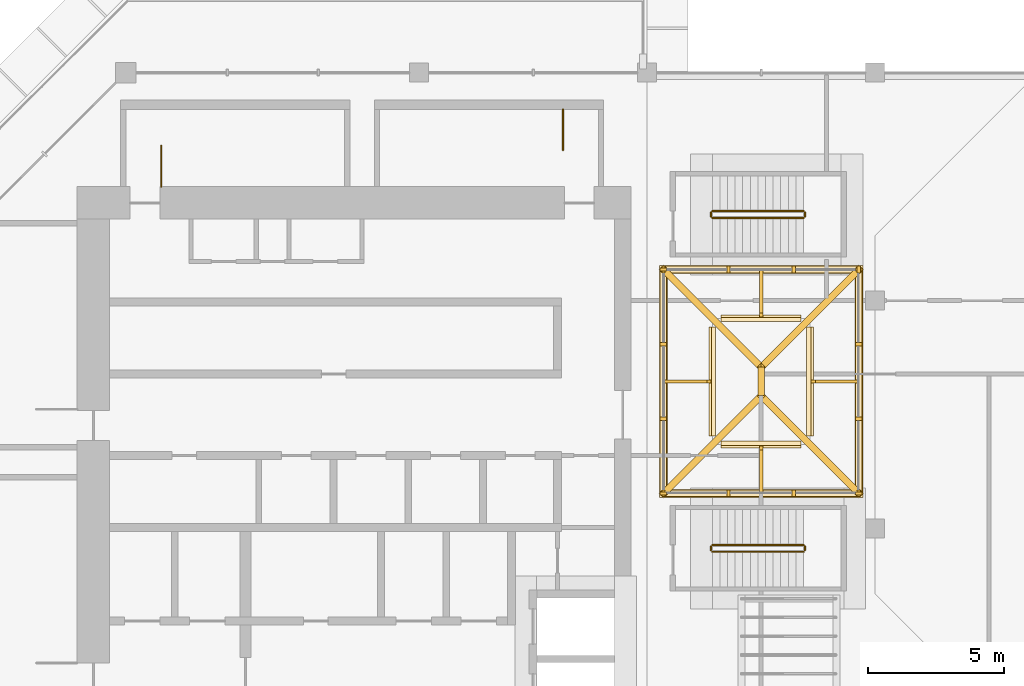
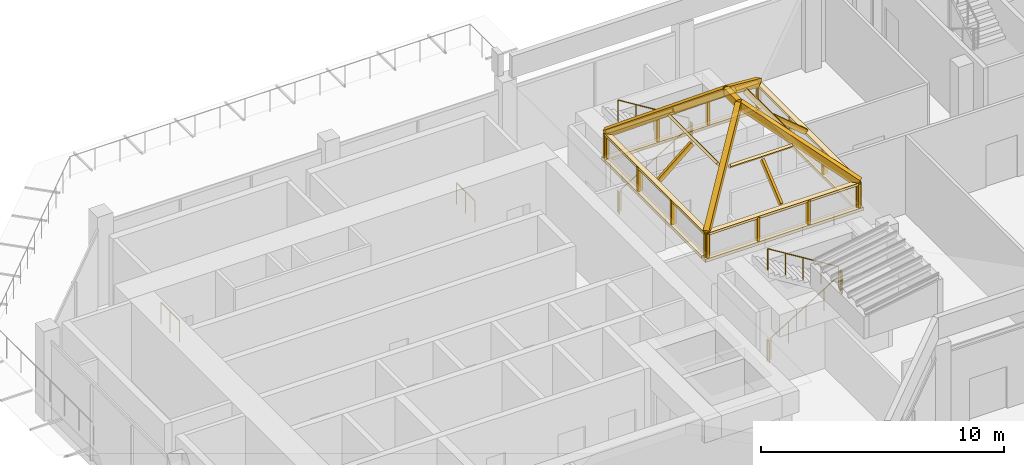
# One storey, part 14 of 15: 37 coverings, 10 railings.
"""IFC4 building model written with IfcOpenShell, lengths in metres."""

from ifc_helpers import new_model, si_unit, direction, frame, origin, origin_2d, place, context, subcontext, project, spatial, polyline, rectangle, circle, outline, extrude, material, layer, layer_set, type_object, element, save


model = new_model("IFC4")

# Units and contexts
model_context = context("Model", 3, precision=1e-05, world=origin(), true_north=direction((0.0, 1.0)))
body_context = subcontext(model_context, "Body", "Model", "MODEL_VIEW")
ifc_project = project(units=[si_unit("LENGTHUNIT", "METRE"), si_unit("AREAUNIT", "SQUARE_METRE"), si_unit("VOLUMEUNIT", "CUBIC_METRE"), si_unit("PLANEANGLEUNIT", "RADIAN"), si_unit("MASSUNIT", "GRAM", prefix="KILO")], contexts=[model_context])

# Site, building, storey
site_placement = place(None, origin())
site = spatial("IfcSite", under=ifc_project, at=site_placement, CompositionType="ELEMENT")
building_placement = place(site_placement, origin())
building = spatial("IfcBuilding", under=site, at=building_placement, Name="Kawkab Arch Medical Tower", CompositionType="ELEMENT")
storey_placement = place(building_placement, frame((0.0, 0.0, 332.199951171875)))
storey = spatial("IfcBuildingStorey", under=building, at=storey_placement, Name="L77", CompositionType="ELEMENT", Elevation=332.199951171875)

# Coverings
ifc_material_1 = material(Name="Bronze painted steel hip rib", Category="steel")
ifc_layer_1 = layer(ifc_material_1, 0.3701171875)
ifc_layer_set_1 = layer_set([ifc_layer_1], Name="Bronze painted steel hip rib")
covering_type_1 = type_object("IfcCoveringType", Name="Crown hip rib 250 x 370", PredefinedType="CLADDING", material=ifc_layer_set_1)
covering_1_placement = place(storey_placement, frame((25.80908203125, -15.668701171875, 6.039306640625), z_axis=(-0.360699112637, -0.360948214235, 0.860007288797), x_axis=(0.608116994285, 0.608116996138, 0.510281726372)))
element("IfcCovering", 1, at=covering_1_placement, inside=storey, type_object=covering_type_1, Name="Pavilion hip rib 1", PredefinedType="CLADDING", context=body_context, shape_type="SweptSolid", body=[
    extrude(outline(polyline([(0.0, 0.0), (5.919698727831101, -9.706319949176478e-16), (5.9196987281586, 0.24997329181508912), (-0.0001484657355583785, 0.2501459408207073), (0.0, 0.0)])), origin(), (0.0, 0.0, -1.0), 0.3701171875),
])
covering_2_placement = place(storey_placement, frame((33.167724609375, -15.491943359375, 6.039306640625), z_axis=(0.360828192191, -0.360828192191, 0.860003506644), x_axis=(-0.608114311392, 0.608114311392, 0.510288123083)))
element("IfcCovering", 2, at=covering_2_placement, inside=storey, type_object=covering_type_1, Name="Pavilion hip rib 2", PredefinedType="CLADDING", context=body_context, shape_type="SweptSolid", body=[
    extrude(outline(polyline([(0.0, 0.0), (5.9196987279948505, 0.0), (5.91969872799485, 0.2499732956929006), (0.0, 0.24997329569290055), (0.0, 0.0)])), origin(), (0.0, 0.0, -1.0), 0.3701171875),
])
covering_3_placement = place(storey_placement, frame((32.990966796875, -7.083251953125, 6.039306640625), z_axis=(0.360948214235, 0.360699112637, 0.860007288797), x_axis=(-0.608116996138, -0.608116994285, 0.510281726372)))
element("IfcCovering", 3, at=covering_3_placement, inside=storey, type_object=covering_type_1, Name="Pavilion hip rib 3", PredefinedType="CLADDING", context=body_context, shape_type="SweptSolid", body=[
    extrude(outline(polyline([(0.0, 0.0), (5.919698727831101, 9.706319949176478e-16), (5.919847193566659, 0.2501459408207079), (-3.274995274971104e-10, 0.24997329181508948), (0.0, 0.0)])), origin(), (0.0, 0.0, -1.0), 0.3701171875),
])
covering_4_placement = place(storey_placement, frame((25.632080078125, -7.260009765625, 6.039306640625), z_axis=(-0.360819142846, 0.360819142846, 0.86001110011), x_axis=(0.608119680783, -0.608119680783, 0.510275325376)))
element("IfcCovering", 4, at=covering_4_placement, inside=storey, type_object=covering_type_1, Name="Pavilion hip rib 4", PredefinedType="CLADDING", context=body_context, shape_type="SweptSolid", body=[
    extrude(outline(polyline([(0.0, 0.0), (5.919995660777298, 0.0), (5.919847194058356, 0.25014592918440126), (0.0001484667189412675, 0.25014592918440126), (0.0, 0.0)])), origin(), (0.0, 0.0, -1.0), 0.3701171875),
])
covering_5_placement = place(storey_placement, frame((29.52490234375, -11.90087890625, 9.0908203125), z_axis=(0.0, 0.0, 1.0), x_axis=(0.0, 1.0, 0.0)))
element("IfcCovering", 5, at=covering_5_placement, inside=storey, type_object=covering_type_1, Name="Pavilion ridge rib", PredefinedType="CLADDING", context=body_context, shape_type="SweptSolid", body=[
    extrude(outline(polyline([(0.0, 0.0), (1.0498046875, 0.0), (1.0498046875, 0.25), (0.0, 0.25), (0.0, 0.0)])), origin(), (0.0, 0.0, -1.0), 0.3701171875),
])
ifc_material_2 = material(Name="Bronze anodised aluminium joint bar", Category="aluminium")
ifc_layer_2 = layer(ifc_material_2, 0.239990234375)
ifc_layer_set_2 = layer_set([ifc_layer_2], Name="Bronze anodised aluminium joint bar")
covering_type_2 = type_object("IfcCoveringType", Name="Crown joint bar 120 x 240", PredefinedType="CLADDING", material=ifc_layer_set_2)
for number, where, z_axis, x_axis, name in (
    (6, (25.860107421875, -15.62109375, 4.650146484375), (0.0, -1.0, 0.0), (0.0, 0.0, 1.0), "Pavilion skirt bar S 1"),
    (7, (28.260009765625, -15.62109375, 4.650146484375), (0.0, -1.0, 0.0), (0.0, 0.0, 1.0), "Pavilion skirt bar S 2"),
):
    element("IfcCovering", number, at=place(storey_placement, frame(where, z_axis=z_axis, x_axis=x_axis)), inside=storey, type_object=covering_type_2, Name=name, PredefinedType="CLADDING", context=body_context, shape_type="SweptSolid", body=[
        extrude(outline(polyline([(0.0, 0.0), (1.199951171875, 0.0), (1.199951171875, 0.1201171875), (0.0, 0.1201171875), (0.0, 0.0)])), origin(), (0.0, 0.0, -1.0), 0.239990234375),
    ])
covering_6_placement = place(storey_placement, frame((30.659912109375, -15.62109375, 4.650146484375), z_axis=(0.0, -1.0, 0.0), x_axis=(0.0, 0.0, 1.0)))
element("IfcCovering", 8, at=covering_6_placement, inside=storey, type_object=covering_type_2, Name="Pavilion skirt bar S 3", PredefinedType="CLADDING", context=body_context, shape_type="SweptSolid", body=[
    extrude(outline(polyline([(0.0, 0.0), (1.199951171875, 0.0), (1.199951171875, 0.119873046875), (0.0, 0.119873046875), (0.0, 0.0)])), origin(), (0.0, 0.0, -1.0), 0.239990234375),
])
covering_7_placement = place(storey_placement, frame((33.06005859375, -15.62109375, 4.650146484375), z_axis=(0.0, -1.0, 0.0), x_axis=(0.0, 0.0, 1.0)))
element("IfcCovering", 9, at=covering_7_placement, inside=storey, type_object=covering_type_2, Name="Pavilion skirt bar S 4", PredefinedType="CLADDING", context=body_context, shape_type="SweptSolid", body=[
    extrude(outline(polyline([(0.0, 0.0), (1.199951171875, 0.0), (1.199951171875, 0.1201171875), (0.0, 0.1201171875), (0.0, 0.0)])), origin(), (0.0, 0.0, -1.0), 0.239990234375),
])
covering_8_placement = place(storey_placement, frame((25.800048828125, -15.62109375, 5.7900390625), z_axis=(0.0, -1.0, 0.0), x_axis=(1.0, 0.0, 0.0)))
element("IfcCovering", 10, at=covering_8_placement, inside=storey, type_object=covering_type_2, Name="Pavilion eaves bar S", PredefinedType="CLADDING", context=body_context, shape_type="SweptSolid", body=[
    extrude(outline(polyline([(0.0, 0.0), (7.199951171875, 0.0), (7.199951171875, 0.1201171875), (0.0, 0.1201171875), (0.0, 0.0)])), origin(), (0.0, 0.0, -1.0), 0.239990234375),
])
for number, where, z_axis, x_axis, name in (
    (11, (33.1201171875, -15.44091796875, 4.650146484375), (1.0, 0.0, 0.0), (0.0, 0.0, 1.0), "Pavilion skirt bar E 1"),
    (12, (33.1201171875, -12.69091796875, 4.650146484375), (1.0, 0.0, 0.0), (0.0, 0.0, 1.0), "Pavilion skirt bar E 2"),
    (13, (33.1201171875, -9.94091796875, 4.650146484375), (1.0, 0.0, 0.0), (0.0, 0.0, 1.0), "Pavilion skirt bar E 3"),
    (14, (33.1201171875, -7.19091796875, 4.650146484375), (1.0, 0.0, 0.0), (0.0, 0.0, 1.0), "Pavilion skirt bar E 4"),
):
    element("IfcCovering", number, at=place(storey_placement, frame(where, z_axis=z_axis, x_axis=x_axis)), inside=storey, type_object=covering_type_2, Name=name, PredefinedType="CLADDING", context=body_context, shape_type="SweptSolid", body=[
        extrude(outline(polyline([(0.0, 0.0), (1.199951171875, 0.0), (1.199951171875, 0.1201171875), (0.0, 0.1201171875), (0.0, 0.0)])), origin(), (0.0, 0.0, -1.0), 0.239990234375),
    ])
covering_9_placement = place(storey_placement, frame((33.1201171875, -15.5009765625, 5.7900390625), z_axis=(1.0, 0.0, 0.0), x_axis=(0.0, 1.0, 0.0)))
element("IfcCovering", 15, at=covering_9_placement, inside=storey, type_object=covering_type_2, Name="Pavilion eaves bar E", PredefinedType="CLADDING", context=body_context, shape_type="SweptSolid", body=[
    extrude(outline(polyline([(0.0, 0.0), (8.25, 0.0), (8.25, 0.1201171875), (0.0, 0.1201171875), (0.0, 0.0)])), origin(), (0.0, 0.0, -1.0), 0.239990234375),
])
covering_10_placement = place(storey_placement, frame((32.93994140625, -7.131103515625, 4.650146484375), z_axis=(0.0, 1.0, 0.0), x_axis=(0.0, 0.0, 1.0)))
element("IfcCovering", 16, at=covering_10_placement, inside=storey, type_object=covering_type_2, Name="Pavilion skirt bar N 1", PredefinedType="CLADDING", context=body_context, shape_type="SweptSolid", body=[
    extrude(outline(polyline([(0.0, 0.0), (1.199951171875, 0.0), (1.199951171875, 0.1201171875), (0.0, 0.1201171875), (0.0, 0.0)])), origin(), (0.0, 0.0, -1.0), 0.239990234375),
])
covering_11_placement = place(storey_placement, frame((30.5400390625, -7.131103515625, 4.650146484375), z_axis=(0.0, 1.0, 0.0), x_axis=(0.0, 0.0, 1.0)))
element("IfcCovering", 17, at=covering_11_placement, inside=storey, type_object=covering_type_2, Name="Pavilion skirt bar N 2", PredefinedType="CLADDING", context=body_context, shape_type="SweptSolid", body=[
    extrude(outline(polyline([(0.0, 0.0), (1.199951171875, 0.0), (1.199951171875, 0.119873046875), (0.0, 0.119873046875), (0.0, 0.0)])), origin(), (0.0, 0.0, -1.0), 0.239990234375),
])
for number, where, z_axis, x_axis, name in (
    (18, (28.139892578125, -7.131103515625, 4.650146484375), (0.0, 1.0, 0.0), (0.0, 0.0, 1.0), "Pavilion skirt bar N 3"),
    (19, (25.739990234375, -7.131103515625, 4.650146484375), (0.0, 1.0, 0.0), (0.0, 0.0, 1.0), "Pavilion skirt bar N 4"),
):
    element("IfcCovering", number, at=place(storey_placement, frame(where, z_axis=z_axis, x_axis=x_axis)), inside=storey, type_object=covering_type_2, Name=name, PredefinedType="CLADDING", context=body_context, shape_type="SweptSolid", body=[
        extrude(outline(polyline([(0.0, 0.0), (1.199951171875, 0.0), (1.199951171875, 0.1201171875), (0.0, 0.1201171875), (0.0, 0.0)])), origin(), (0.0, 0.0, -1.0), 0.239990234375),
    ])
covering_12_placement = place(storey_placement, frame((33.0, -7.131103515625, 5.7900390625), z_axis=(0.0, 1.0, 0.0), x_axis=(-1.0, 0.0, 0.0)))
element("IfcCovering", 20, at=covering_12_placement, inside=storey, type_object=covering_type_2, Name="Pavilion eaves bar N", PredefinedType="CLADDING", context=body_context, shape_type="SweptSolid", body=[
    extrude(outline(polyline([(0.0, 0.0), (7.199951171875, 0.0), (7.199951171875, 0.1201171875), (0.0, 0.1201171875), (0.0, 0.0)])), origin(), (0.0, 0.0, -1.0), 0.239990234375),
])
for number, where, z_axis, x_axis, name in (
    (21, (25.679931640625, -7.31103515625, 4.650146484375), (-1.0, 0.0, 0.0), (0.0, 0.0, 1.0), "Pavilion skirt bar W 1"),
    (22, (25.679931640625, -10.06103515625, 4.650146484375), (-1.0, 0.0, 0.0), (0.0, 0.0, 1.0), "Pavilion skirt bar W 2"),
    (23, (25.679931640625, -12.81103515625, 4.650146484375), (-1.0, 0.0, 0.0), (0.0, 0.0, 1.0), "Pavilion skirt bar W 3"),
    (24, (25.679931640625, -15.56103515625, 4.650146484375), (-1.0, 0.0, 0.0), (0.0, 0.0, 1.0), "Pavilion skirt bar W 4"),
):
    element("IfcCovering", number, at=place(storey_placement, frame(where, z_axis=z_axis, x_axis=x_axis)), inside=storey, type_object=covering_type_2, Name=name, PredefinedType="CLADDING", context=body_context, shape_type="SweptSolid", body=[
        extrude(outline(polyline([(0.0, 0.0), (1.199951171875, 0.0), (1.199951171875, 0.1201171875), (0.0, 0.1201171875), (0.0, 0.0)])), origin(), (0.0, 0.0, -1.0), 0.239990234375),
    ])
covering_13_placement = place(storey_placement, frame((25.679931640625, -7.2509765625, 5.7900390625), z_axis=(-1.0, 0.0, 0.0), x_axis=(0.0, -1.0, 0.0)))
element("IfcCovering", 25, at=covering_13_placement, inside=storey, type_object=covering_type_2, Name="Pavilion eaves bar W", PredefinedType="CLADDING", context=body_context, shape_type="SweptSolid", body=[
    extrude(outline(polyline([(0.0, 0.0), (8.25, 0.0), (8.25, 0.1201171875), (0.0, 0.1201171875), (0.0, 0.0)])), origin(), (0.0, 0.0, -1.0), 0.239990234375),
])
covering_14_placement = place(storey_placement, frame((27.925048828125, -13.82421875, 7.413818359375), z_axis=(0.0, -0.642381255082, 0.766385231538), x_axis=(1.0, 0.0, 0.0)))
element("IfcCovering", 26, at=covering_14_placement, inside=storey, type_object=covering_type_2, Name="Pavilion purlin bar S", PredefinedType="CLADDING", context=body_context, shape_type="SweptSolid", body=[
    extrude(outline(polyline([(0.0, 0.0), (2.949951171875, 0.0), (2.949951171875, 0.12009758517960675), (0.0, 0.12009758517960675), (0.0, 0.0)])), origin(), (0.0, 0.0, -1.0), 0.239990234375),
])
covering_15_placement = place(storey_placement, frame((29.4599609375, -15.45556640625, 6.044921875), z_axis=(0.0, -0.642771689553, 0.766057801415), x_axis=(0.0, 0.766057801415, 0.642771689553)))
element("IfcCovering", 27, at=covering_15_placement, inside=storey, type_object=covering_type_2, Name="Pavilion rafter bar S row 1 joint 1", PredefinedType="CLADDING", context=body_context, shape_type="SweptSolid", body=[
    extrude(outline(polyline([(0.0, 0.0), (2.02978370268189, 0.0), (2.02978370268189, 0.119873046875), (0.0, 0.119873046875), (0.0, 0.0)])), origin(), (0.0, 0.0, -1.0), 0.239990234375),
])
covering_16_placement = place(storey_placement, frame((31.322998046875, -13.3759765625, 7.413818359375), z_axis=(0.643383062882, 0.0, 0.765544403935), x_axis=(0.0, 1.0, 0.0)))
element("IfcCovering", 28, at=covering_16_placement, inside=storey, type_object=covering_type_2, Name="Pavilion purlin bar E", PredefinedType="CLADDING", context=body_context, shape_type="SweptSolid", body=[
    extrude(outline(polyline([(0.0, 0.0), (4.0, 0.0), (4.0, 0.11991058197030413), (0.0, 0.11991058197030413), (0.0, 0.0)])), origin(), (0.0, 0.0, -1.0), 0.239990234375),
])
covering_17_placement = place(storey_placement, frame((32.95458984375, -11.31591796875, 6.044921875), z_axis=(0.642771689553, 0.0, 0.766057801415), x_axis=(-0.766057801415, 0.0, 0.642771689553)))
element("IfcCovering", 29, at=covering_17_placement, inside=storey, type_object=covering_type_2, Name="Pavilion rafter bar E row 1 joint 1", PredefinedType="CLADDING", context=body_context, shape_type="SweptSolid", body=[
    extrude(outline(polyline([(0.0, 0.0), (2.02978370268189, 0.0), (2.02978370268189, 0.1201171875), (0.0, 0.1201171875), (0.0, 0.0)])), origin(), (0.0, 0.0, -1.0), 0.239990234375),
])
covering_18_placement = place(storey_placement, frame((30.875, -8.927978515625, 7.413818359375), z_axis=(0.0, 0.643383062882, 0.765544403935), x_axis=(-1.0, 0.0, 0.0)))
element("IfcCovering", 30, at=covering_18_placement, inside=storey, type_object=covering_type_2, Name="Pavilion purlin bar N", PredefinedType="CLADDING", context=body_context, shape_type="SweptSolid", body=[
    extrude(outline(polyline([(0.0, 0.0), (2.949951171875, 0.0), (2.949951171875, 0.11991058197030416), (0.0, 0.11991058197030416), (0.0, 0.0)])), origin(), (0.0, 0.0, -1.0), 0.239990234375),
])
covering_19_placement = place(storey_placement, frame((29.340087890625, -7.29638671875, 6.044921875), z_axis=(0.0, 0.642771689553, 0.766057801415), x_axis=(0.0, -0.766057801415, 0.642771689553)))
element("IfcCovering", 31, at=covering_19_placement, inside=storey, type_object=covering_type_2, Name="Pavilion rafter bar N row 1 joint 1", PredefinedType="CLADDING", context=body_context, shape_type="SweptSolid", body=[
    extrude(outline(polyline([(0.0, 0.0), (2.02978370268189, 0.0), (2.02978370268189, 0.119873046875), (0.0, 0.119873046875), (0.0, 0.0)])), origin(), (0.0, 0.0, -1.0), 0.239990234375),
])
covering_20_placement = place(storey_placement, frame((27.476806640625, -9.3759765625, 7.413818359375), z_axis=(-0.642381255082, 0.0, 0.766385231538), x_axis=(0.0, -1.0, 0.0)))
element("IfcCovering", 32, at=covering_20_placement, inside=storey, type_object=covering_type_2, Name="Pavilion purlin bar W", PredefinedType="CLADDING", context=body_context, shape_type="SweptSolid", body=[
    extrude(outline(polyline([(0.0, 0.0), (4.0, 0.0), (4.0, 0.12009758517960675), (0.0, 0.12009758517960675), (0.0, 0.0)])), origin(), (0.0, 0.0, -1.0), 0.239990234375),
])
covering_21_placement = place(storey_placement, frame((25.845458984375, -11.43603515625, 6.044921875), z_axis=(-0.642771689553, 0.0, 0.766057801415), x_axis=(0.766057801415, 0.0, 0.642771689553)))
element("IfcCovering", 33, at=covering_21_placement, inside=storey, type_object=covering_type_2, Name="Pavilion rafter bar W row 1 joint 1", PredefinedType="CLADDING", context=body_context, shape_type="SweptSolid", body=[
    extrude(outline(polyline([(0.0, 0.0), (2.02978370268189, 0.0), (2.02978370268189, 0.1201171875), (0.0, 0.1201171875), (0.0, 0.0)])), origin(), (0.0, 0.0, -1.0), 0.239990234375),
])
ifc_material_3 = material(Name="Bronze anodised aluminium sill", Category="aluminium")
ifc_layer_3 = layer(ifc_material_3, 0.14990234375)
ifc_layer_set_3 = layer_set([ifc_layer_3], Name="Bronze anodised aluminium sill")
covering_type_3 = type_object("IfcCoveringType", Name="Crown sill 300 x 150", PredefinedType="CLADDING", material=ifc_layer_set_3)
covering_22_placement = place(storey_placement, frame((29.39990234375, -15.5009765625, 4.5), z_axis=(0.0, 0.0, 1.0), x_axis=(1.0, 0.0, 0.0)))
element("IfcCovering", 34, at=covering_22_placement, inside=storey, type_object=covering_type_3, Name="Pavilion sill 1", PredefinedType="CLADDING", context=body_context, shape_type="SweptSolid", body=[
    extrude(rectangle(XDim=7.5, YDim=0.300048828125, at=origin_2d()), origin(), (0.0, 0.0, 1.0), 0.14990234375),
])
covering_23_placement = place(storey_placement, frame((33.0, -11.3759765625, 4.5), z_axis=(0.0, 0.0, 1.0), x_axis=(0.0, 1.0, 0.0)))
element("IfcCovering", 35, at=covering_23_placement, inside=storey, type_object=covering_type_3, Name="Pavilion sill 2", PredefinedType="CLADDING", context=body_context, shape_type="SweptSolid", body=[
    extrude(rectangle(XDim=7.949951171875, YDim=0.300048828125, at=origin_2d()), origin(), (0.0, 0.0, 1.0), 0.14990234375),
])
covering_24_placement = place(storey_placement, frame((29.39990234375, -7.2509765625, 4.5), z_axis=(0.0, 0.0, 1.0), x_axis=(-1.0, 0.0, 0.0)))
element("IfcCovering", 36, at=covering_24_placement, inside=storey, type_object=covering_type_3, Name="Pavilion sill 3", PredefinedType="CLADDING", context=body_context, shape_type="SweptSolid", body=[
    extrude(rectangle(XDim=7.5, YDim=0.300048828125, at=origin_2d()), origin(), (0.0, 0.0, 1.0), 0.14990234375),
])
covering_25_placement = place(storey_placement, frame((25.800048828125, -11.3759765625, 4.5), z_axis=(0.0, 0.0, 1.0), x_axis=(0.0, -1.0, 0.0)))
element("IfcCovering", 37, at=covering_25_placement, inside=storey, type_object=covering_type_3, Name="Pavilion sill 4", PredefinedType="CLADDING", context=body_context, shape_type="SweptSolid", body=[
    extrude(rectangle(XDim=7.949951171875, YDim=0.300048828125, at=origin_2d()), origin(), (0.0, 0.0, 1.0), 0.14990234375),
])

# Railings
ifc_material_4 = material(Name="Stainless steel", Category="steel")
railing_type = type_object("IfcRailingType", Name="Stair guard 1100", PredefinedType="GUARDRAIL", material=ifc_material_4)
railing_1_placement = place(storey_placement, frame((27.60009765625, -17.64990234375, 0.173095703125)))
element("IfcRailing", 38, at=railing_1_placement, inside=storey, type_object=railing_type, Name="L77 DS1 stair guard 1", PredefinedType="GUARDRAIL", context=body_context, shape_type="SweptSolid", body=[
    extrude(circle(Radius=0.02392578125, at=origin_2d()), frame((0.0, 0.0, 1.076171875), z_axis=(0.850606129759, 0.0, 0.525803396734), x_axis=(0.0, 1.0, 0.0)), (0.0, 0.0, 1.0), 3.949951171875),
    extrude(circle(Radius=0.02099609375, at=origin_2d()), origin(), (0.0, 0.0, 1.0), 1.052001953125),
    extrude(circle(Radius=0.02099609375, at=origin_2d()), frame((0.83984375, 0.0, 0.519287109375)), (0.0, 0.0, 1.0), 1.052001953125),
    extrude(circle(Radius=0.02099609375, at=origin_2d()), frame((1.679931640625, 0.0, 1.03857421875)), (0.0, 0.0, 1.0), 1.052001953125),
    extrude(circle(Radius=0.02099609375, at=origin_2d()), frame((2.52001953125, 0.0, 1.5576171875)), (0.0, 0.0, 1.0), 1.052001953125),
    extrude(circle(Radius=0.02099609375, at=origin_2d()), frame((3.35986328125, 0.0, 2.076904296875)), (0.0, 0.0, 1.0), 1.052001953125),
])
railing_2_placement = place(storey_placement, frame((31.010009765625, -17.60009765625, 2.25)))
element("IfcRailing", 39, at=railing_2_placement, inside=storey, type_object=railing_type, Name="L77 DS1 stair guard 2", PredefinedType="GUARDRAIL", context=body_context, shape_type="SweptSolid", body=[
    extrude(circle(Radius=0.02392578125, at=origin_2d()), frame((0.0, 0.0, 1.076171875), z_axis=(0.0, 1.0, 0.0), x_axis=(-1.0, 0.0, 0.0)), (0.0, 0.0, 1.0), 0.150146484375),
    extrude(circle(Radius=0.02099609375, at=origin_2d()), origin(), (0.0, 0.0, 1.0), 1.052001953125),
    extrude(circle(Radius=0.02099609375, at=origin_2d()), frame((0.0, 0.150146484375, 0.0)), (0.0, 0.0, 1.0), 1.052001953125),
])
railing_3_placement = place(storey_placement, frame((30.9599609375, -17.39990234375, 2.423095703125)))
element("IfcRailing", 40, at=railing_3_placement, inside=storey, type_object=railing_type, Name="L77 DS1 stair guard 3", PredefinedType="GUARDRAIL", context=body_context, shape_type="SweptSolid", body=[
    extrude(circle(Radius=0.02392578125, at=origin_2d()), frame((0.0, 0.0, 1.076171875), z_axis=(-0.850606129759, 0.0, 0.525803396734), x_axis=(0.0, -1.0, 0.0)), (0.0, 0.0, 1.0), 3.949951171875),
    extrude(circle(Radius=0.02099609375, at=origin_2d()), origin(), (0.0, 0.0, 1.0), 1.052001953125),
    extrude(circle(Radius=0.02099609375, at=origin_2d()), frame((-0.83984375, 0.0, 0.519287109375)), (0.0, 0.0, 1.0), 1.052001953125),
    extrude(circle(Radius=0.02099609375, at=origin_2d()), frame((-1.679931640625, 0.0, 1.03857421875)), (0.0, 0.0, 1.0), 1.052001953125),
    extrude(circle(Radius=0.02099609375, at=origin_2d()), frame((-2.52001953125, 0.0, 1.5576171875)), (0.0, 0.0, 1.0), 1.052001953125),
    extrude(circle(Radius=0.02099609375, at=origin_2d()), frame((-3.35986328125, 0.0, 2.076904296875)), (0.0, 0.0, 1.0), 1.052001953125),
])
railing_4_placement = place(storey_placement, frame((27.550048828125, -17.60009765625, 0.0)))
element("IfcRailing", 41, at=railing_4_placement, inside=storey, type_object=railing_type, Name="L77 DS1 stair guard 4", PredefinedType="GUARDRAIL", context=body_context, shape_type="SweptSolid", body=[
    extrude(circle(Radius=0.02392578125, at=origin_2d()), frame((0.0, 0.0, 1.076171875), z_axis=(0.0, 1.0, 0.0), x_axis=(-1.0, 0.0, 0.0)), (0.0, 0.0, 1.0), 0.150146484375),
    extrude(circle(Radius=0.02099609375, at=origin_2d()), origin(), (0.0, 0.0, 1.0), 1.052001953125),
    extrude(circle(Radius=0.02099609375, at=origin_2d()), frame((0.0, 0.150146484375, 0.0)), (0.0, 0.0, 1.0), 1.052001953125),
])
railing_5_placement = place(storey_placement, frame((27.60009765625, -5.35009765625, 0.173095703125)))
element("IfcRailing", 42, at=railing_5_placement, inside=storey, type_object=railing_type, Name="L77 DS2 stair guard 1", PredefinedType="GUARDRAIL", context=body_context, shape_type="SweptSolid", body=[
    extrude(circle(Radius=0.02392578125, at=origin_2d()), frame((0.0, 0.0, 1.076171875), z_axis=(0.850606129759, 0.0, 0.525803396734), x_axis=(0.0, 1.0, 0.0)), (0.0, 0.0, 1.0), 3.949951171875),
    extrude(circle(Radius=0.02099609375, at=origin_2d()), origin(), (0.0, 0.0, 1.0), 1.052001953125),
    extrude(circle(Radius=0.02099609375, at=origin_2d()), frame((0.83984375, 0.0, 0.519287109375)), (0.0, 0.0, 1.0), 1.052001953125),
    extrude(circle(Radius=0.02099609375, at=origin_2d()), frame((1.679931640625, 0.0, 1.03857421875)), (0.0, 0.0, 1.0), 1.052001953125),
    extrude(circle(Radius=0.02099609375, at=origin_2d()), frame((2.52001953125, 0.0, 1.5576171875)), (0.0, 0.0, 1.0), 1.052001953125),
    extrude(circle(Radius=0.02099609375, at=origin_2d()), frame((3.35986328125, 0.0, 2.076904296875)), (0.0, 0.0, 1.0), 1.052001953125),
])
railing_6_placement = place(storey_placement, frame((31.010009765625, -5.300048828125, 2.25)))
element("IfcRailing", 43, at=railing_6_placement, inside=storey, type_object=railing_type, Name="L77 DS2 stair guard 2", PredefinedType="GUARDRAIL", context=body_context, shape_type="SweptSolid", body=[
    extrude(circle(Radius=0.02392578125, at=origin_2d()), frame((0.0, 0.0, 1.076171875), z_axis=(0.0, 1.0, 0.0), x_axis=(-1.0, 0.0, 0.0)), (0.0, 0.0, 1.0), 0.150146484375),
    extrude(circle(Radius=0.02099609375, at=origin_2d()), origin(), (0.0, 0.0, 1.0), 1.052001953125),
    extrude(circle(Radius=0.02099609375, at=origin_2d()), frame((0.0, 0.150146484375, 0.0)), (0.0, 0.0, 1.0), 1.052001953125),
])
railing_7_placement = place(storey_placement, frame((30.9599609375, -5.10009765625, 2.423095703125)))
element("IfcRailing", 44, at=railing_7_placement, inside=storey, type_object=railing_type, Name="L77 DS2 stair guard 3", PredefinedType="GUARDRAIL", context=body_context, shape_type="SweptSolid", body=[
    extrude(circle(Radius=0.02392578125, at=origin_2d()), frame((0.0, 0.0, 1.076171875), z_axis=(-0.850606129759, 0.0, 0.525803396734), x_axis=(0.0, -1.0, 0.0)), (0.0, 0.0, 1.0), 3.949951171875),
    extrude(circle(Radius=0.02099609375, at=origin_2d()), origin(), (0.0, 0.0, 1.0), 1.052001953125),
    extrude(circle(Radius=0.02099609375, at=origin_2d()), frame((-0.83984375, 0.0, 0.519287109375)), (0.0, 0.0, 1.0), 1.052001953125),
    extrude(circle(Radius=0.02099609375, at=origin_2d()), frame((-1.679931640625, 0.0, 1.03857421875)), (0.0, 0.0, 1.0), 1.052001953125),
    extrude(circle(Radius=0.02099609375, at=origin_2d()), frame((-2.52001953125, 0.0, 1.5576171875)), (0.0, 0.0, 1.0), 1.052001953125),
    extrude(circle(Radius=0.02099609375, at=origin_2d()), frame((-3.35986328125, 0.0, 2.076904296875)), (0.0, 0.0, 1.0), 1.052001953125),
])
railing_8_placement = place(storey_placement, frame((27.550048828125, -5.300048828125, 0.0)))
element("IfcRailing", 45, at=railing_8_placement, inside=storey, type_object=railing_type, Name="L77 DS2 stair guard 4", PredefinedType="GUARDRAIL", context=body_context, shape_type="SweptSolid", body=[
    extrude(circle(Radius=0.02392578125, at=origin_2d()), frame((0.0, 0.0, 1.076171875), z_axis=(0.0, 1.0, 0.0), x_axis=(-1.0, 0.0, 0.0)), (0.0, 0.0, 1.0), 0.150146484375),
    extrude(circle(Radius=0.02099609375, at=origin_2d()), origin(), (0.0, 0.0, 1.0), 1.052001953125),
    extrude(circle(Radius=0.02099609375, at=origin_2d()), frame((0.0, 0.150146484375, 0.0)), (0.0, 0.0, 1.0), 1.052001953125),
])
railing_9_placement = place(storey_placement, frame((7.300048828125, -4.199951171875, 0.0)))
element("IfcRailing", 46, at=railing_9_placement, inside=storey, type_object=railing_type, Name="L77 ST3 top well guard 1", PredefinedType="GUARDRAIL", context=body_context, shape_type="SweptSolid", body=[
    extrude(circle(Radius=0.02392578125, at=origin_2d()), frame((0.0, 0.0, 1.076171875), z_axis=(0.0, 1.0, 0.0), x_axis=(-1.0, 0.0, 0.0)), (0.0, 0.0, 1.0), 1.5),
    extrude(circle(Radius=0.02099609375, at=origin_2d()), origin(), (0.0, 0.0, 1.0), 1.052001953125),
    extrude(circle(Radius=0.02099609375, at=origin_2d()), frame((0.0, 0.75, 0.0)), (0.0, 0.0, 1.0), 1.052001953125),
    extrude(circle(Radius=0.02099609375, at=origin_2d()), frame((0.0, 1.5, 0.0)), (0.0, 0.0, 1.0), 1.052001953125),
])
railing_10_placement = place(storey_placement, frame((22.10009765625, -1.35009765625, 0.0)))
element("IfcRailing", 47, at=railing_10_placement, inside=storey, type_object=railing_type, Name="L77 ST4 top well guard 1", PredefinedType="GUARDRAIL", context=body_context, shape_type="SweptSolid", body=[
    extrude(circle(Radius=0.02392578125, at=origin_2d()), frame((0.0, 0.0, 1.076171875), z_axis=(0.0, -1.0, 0.0), x_axis=(1.0, 0.0, 0.0)), (0.0, 0.0, 1.0), 1.5),
    extrude(circle(Radius=0.02099609375, at=origin_2d()), origin(), (0.0, 0.0, 1.0), 1.052001953125),
    extrude(circle(Radius=0.02099609375, at=origin_2d()), frame((0.0, -0.75, 0.0)), (0.0, 0.0, 1.0), 1.052001953125),
    extrude(circle(Radius=0.02099609375, at=origin_2d()), frame((0.0, -1.5, 0.0)), (0.0, 0.0, 1.0), 1.052001953125),
])

save(model, "model.ifc")
